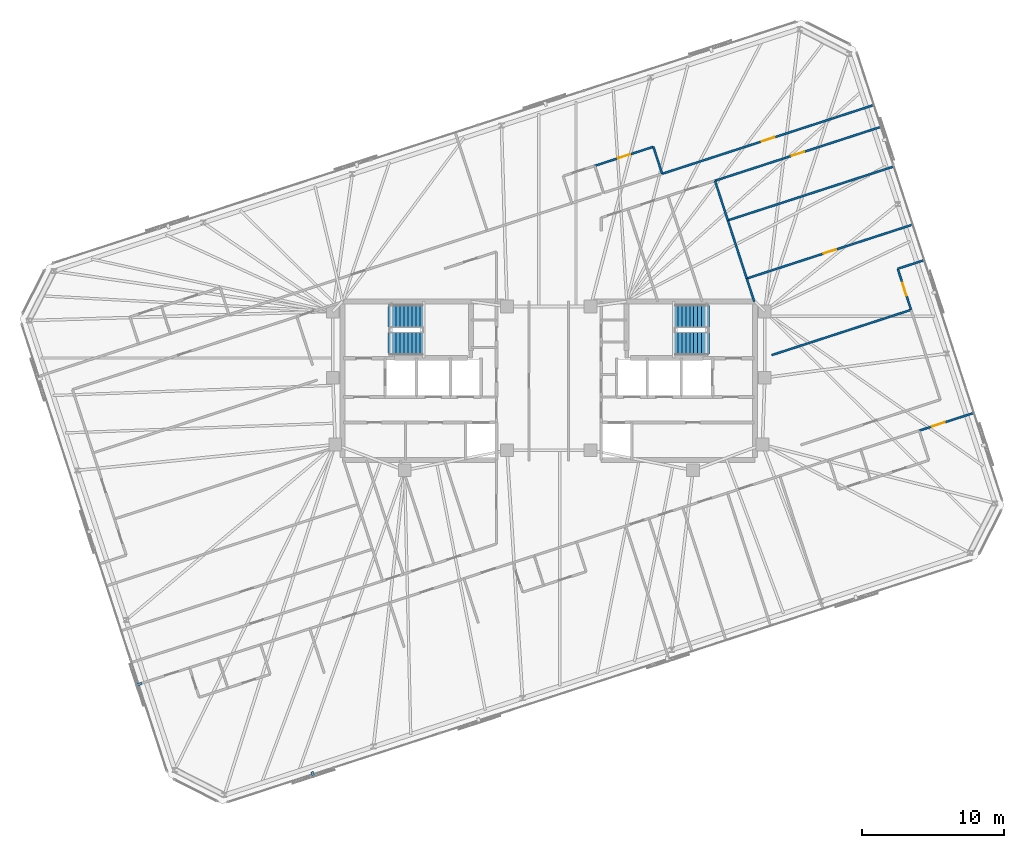
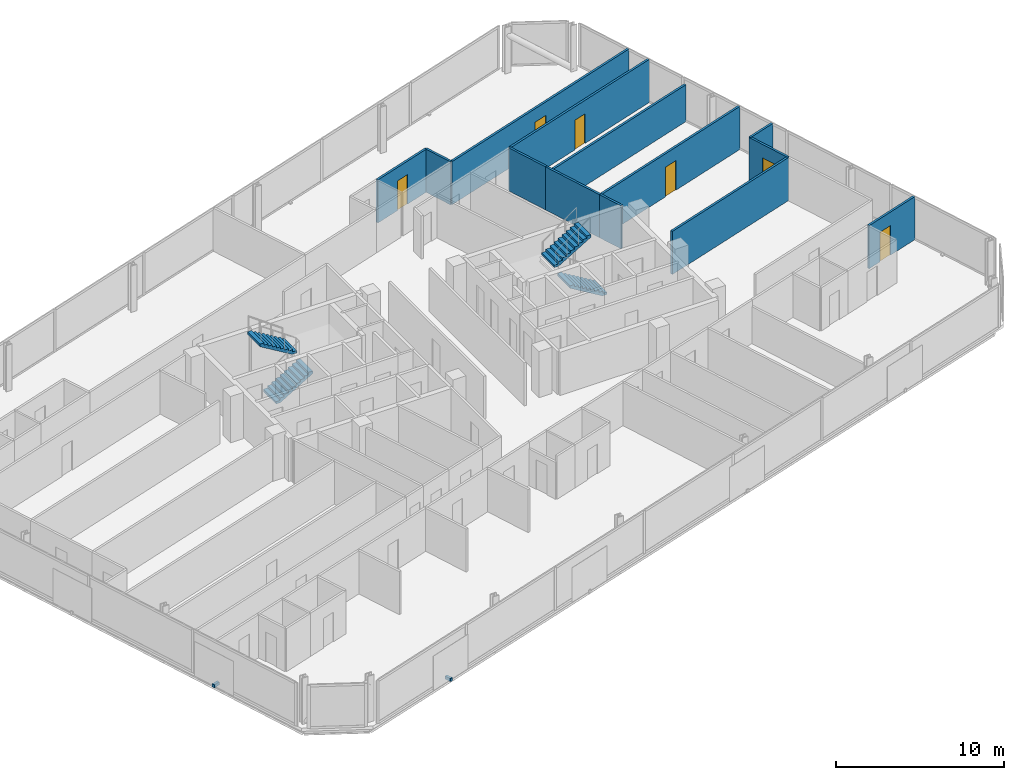
# One storey, part 17 of 19: 13 walls, 6 doors, 4 stair flights, 2 discrete accessories, 6 openings, 2 elements without a shape of their own.
"""IFC4 building model written with IfcOpenShell, lengths in metres."""

import ifcopenshell
import ifcopenshell.guid

model = None  # the IFC model being written
_history = None  # IfcOwnerHistory: only IFC2X3 demands one
_inside = {}  # id of a spatial element -> (the spatial element, [elements in it])
_under = {}  # id of a project, library or spatial element -> (it, [spatial elements below it])
_declared = {}  # id of a project -> (the project, [libraries it declares])
_typed = {}  # id of a type object -> (the type object, [elements of that type])
_made_of = {}  # id of a material, layer set ... -> (it, [elements and type objects made of it])


def new_model(schema):
    """Start an empty IFC model of exactly this schema.

    Asked for "IFC4X3", IfcOpenShell would pick the latest addendum, in which some entities
    have other attributes; the version numbers below select the first issue.
    IFC2X3 requires an IfcOwnerHistory on every rooted entity: one is made here for all.
    """
    global model, _history
    if schema == "IFC4X3":
        model = ifcopenshell.file(schema_version=(4, 3, 0, 0))
    else:
        model = ifcopenshell.file(schema=schema)
    _inside.clear()
    _under.clear()
    _declared.clear()
    _typed.clear()
    _made_of.clear()
    _history = None
    if model.schema == "IFC2X3":
        org = make("IfcOrganization", Name="unknown")
        user = make(
            "IfcPersonAndOrganization",
            ThePerson=make("IfcPerson", FamilyName="unknown"),
            TheOrganization=org,
        )
        app = make(
            "IfcApplication",
            ApplicationDeveloper=org,
            Version="unknown",
            ApplicationFullName="unknown",
            ApplicationIdentifier="unknown",
        )
        _history = make(
            "IfcOwnerHistory",
            OwningUser=user,
            OwningApplication=app,
            ChangeAction="ADDED",
            CreationDate=0,
        )
    return model


def make(cls, **values):
    """One entity of the class cls with the attributes given. An attribute that is None is left unset."""
    return model.create_entity(
        cls, **{name: value for name, value in values.items() if value is not None}
    )


def rooted(cls, **values):
    """An entity with a GlobalId (a new one), such as an element, a storey or a relation."""
    return make(cls, GlobalId=ifcopenshell.guid.new(), OwnerHistory=_history, **values)


def si_unit(unit_type, name, prefix=None):
    """IfcSIUnit, for example si_unit("LENGTHUNIT", "METRE", prefix="MILLI")."""
    return make("IfcSIUnit", UnitType=unit_type, Prefix=prefix, Name=name)


def assignment(units):
    """IfcUnitAssignment: the units of a project."""
    return None if units is None else make("IfcUnitAssignment", Units=units)


def point(xyz):
    """IfcCartesianPoint."""
    return None if xyz is None else make("IfcCartesianPoint", Coordinates=xyz)


def direction(xyz):
    """IfcDirection."""
    return None if xyz is None else make("IfcDirection", DirectionRatios=xyz)


def frame(location, z_axis=None, x_axis=None):
    """IfcAxis2Placement3D, a coordinate frame: its origin and axes. An axis left out is left unset."""
    return make(
        "IfcAxis2Placement3D",
        Location=point(location),
        Axis=direction(z_axis),
        RefDirection=direction(x_axis),
    )


def frame_2d(location, x_axis=None):
    """IfcAxis2Placement2D, a coordinate frame in the plane: its origin and x axis."""
    return make(
        "IfcAxis2Placement2D", Location=point(location), RefDirection=direction(x_axis)
    )


def origin():
    """The frame at (0, 0, 0) with its axes left unset."""
    return frame((0.0, 0.0, 0.0))


def origin_2d():
    """The frame at (0, 0) in the plane with its x axis left unset."""
    return frame_2d((0.0, 0.0))


def place(relative_to, where):
    """IfcLocalPlacement: puts the frame where relative to a parent placement (None: the world)."""
    return make(
        "IfcLocalPlacement", PlacementRelTo=relative_to, RelativePlacement=where
    )


def context(
    kind, dimensions, precision=None, world=None, true_north=None, identifier=None
):
    """IfcGeometricRepresentationContext, for example the 3D "Model" context."""
    return make(
        "IfcGeometricRepresentationContext",
        ContextIdentifier=identifier,
        ContextType=kind,
        CoordinateSpaceDimension=dimensions,
        Precision=precision,
        WorldCoordinateSystem=world,
        TrueNorth=true_north,
    )


def subcontext(parent, identifier, kind, view, scale=None):
    """IfcGeometricRepresentationSubContext, for example "Body" below "Model"."""
    return make(
        "IfcGeometricRepresentationSubContext",
        ContextIdentifier=identifier,
        ContextType=kind,
        ParentContext=parent,
        TargetScale=scale,
        TargetView=view,
    )


def project(units=None, contexts=None):
    """IfcProject with its units and contexts."""
    return rooted(
        "IfcProject",
        Name="project",
        RepresentationContexts=contexts,
        UnitsInContext=assignment(units),
    )


def spatial(cls, under=None, at=None, **own):
    """A site, building, storey or space (cls), placed at a placement, below another one or the project."""
    s = rooted(cls, ObjectPlacement=at, **own)
    if under is not None:
        _under.setdefault(under.id(), (under, []))[1].append(s)
    return s


def polyline(points):
    """IfcPolyline through the points."""
    return make("IfcPolyline", Points=[point(p) for p in points])


def profile(cls, at=None, kind="AREA", **sizes):
    """A parametric profile (cls). Its sizes go by their IFC names, for example OverallWidth=200.0."""
    return make(cls, ProfileType=kind, Position=at, **sizes)


def rectangle(**sizes):
    """IfcRectangleProfileDef."""
    return profile("IfcRectangleProfileDef", **sizes)


def outline(outer, holes=None, kind="AREA"):
    """IfcArbitraryClosedProfileDef: a profile drawn as a closed curve; with holes, ...WithVoids."""
    if holes is None:
        return make("IfcArbitraryClosedProfileDef", ProfileType=kind, OuterCurve=outer)
    return make(
        "IfcArbitraryProfileDefWithVoids",
        ProfileType=kind,
        OuterCurve=outer,
        InnerCurves=holes,
    )


def extrude(swept, where, along, depth):
    """IfcExtrudedAreaSolid: the profile swept, set in the frame where, extruded along a direction by depth."""
    return make(
        "IfcExtrudedAreaSolid",
        SweptArea=swept,
        Position=where,
        ExtrudedDirection=direction(along),
        Depth=depth,
    )


def shape(context_of_items, identifier, shape_type, items):
    """IfcShapeRepresentation: the items that make up one representation, for example the "Body"."""
    return make(
        "IfcShapeRepresentation",
        ContextOfItems=context_of_items,
        RepresentationIdentifier=identifier,
        RepresentationType=shape_type,
        Items=items,
    )


def material(Name=None, Category=None):
    """IfcMaterial."""
    return make("IfcMaterial", Name=Name, Category=Category)


def layer(
    of_material, thickness, ventilated=None, Name=None, Category=None, Priority=None
):
    """IfcMaterialLayer: one layer of a wall or slab, of a material (None: an air gap)."""
    return make(
        "IfcMaterialLayer",
        Material=of_material,
        LayerThickness=thickness,
        IsVentilated=ventilated,
        Name=Name,
        Category=Category,
        Priority=Priority,
    )


def layer_set(layers, Name=None):
    """IfcMaterialLayerSet."""
    return make("IfcMaterialLayerSet", MaterialLayers=layers, LayerSetName=Name)


def made_of(thing, what):
    """Note that an element or type object is made of a material, layer set ...; save() writes the relation."""
    if what is not None:
        _made_of.setdefault(what.id(), (what, []))[1].append(thing)
    return thing


def type_object(cls, material=None, **own):
    """A type object (cls), such as IfcWallType, which elements share."""
    return made_of(rooted(cls, **own), material)


def element(
    cls,
    number,
    at=None,
    inside=None,
    cuts=None,
    type_object=None,
    material=None,
    context=None,
    identifier="Body",
    shape_type=None,
    held_by="IfcProductDefinitionShape",
    body=None,
    shapes=None,
    **own,
):
    """One element of the class cls, such as IfcWall. Its Tag is "e" and its number.

    at: its placement. inside: the storey or other place that contains it. cuts: it is an
    opening in that element (IfcRelVoidsElement). A single representation is given by context,
    identifier, shape_type and body (its items); several are given by shapes. held_by: the class
    of the entity that holds the representations. save() writes the other relations.
    """
    e = rooted(cls, Tag="e%d" % number, ObjectPlacement=at, **own)
    if body is not None:
        shapes = [shape(context, identifier, shape_type, body)]
    if shapes is not None:
        e.Representation = make(held_by, Representations=shapes)
    if inside is not None:
        _inside.setdefault(inside.id(), (inside, []))[1].append(e)
    if cuts is not None:
        rooted(
            "IfcRelVoidsElement", RelatingBuildingElement=cuts, RelatedOpeningElement=e
        )
    if type_object is not None:
        _typed.setdefault(type_object.id(), (type_object, []))[1].append(e)
    return made_of(e, material)


def fill(opening, filler):
    """IfcRelFillsElement: the door or window that sits in an opening."""
    return rooted(
        "IfcRelFillsElement",
        RelatingOpeningElement=opening,
        RelatedBuildingElement=filler,
    )


def aggregate(whole, parts):
    """IfcRelAggregates: a whole, such as a stair, and the parts it consists of."""
    return rooted("IfcRelAggregates", RelatingObject=whole, RelatedObjects=parts)


def save(model, path):
    """Write the relations noted so far, then the file.

    IfcRelAggregates (storeys below a building ...), IfcRelContainedInSpatialStructure (elements
    in a storey), IfcRelDefinesByType, IfcRelAssociatesMaterial and IfcRelDeclares: one each for
    every whole, place, type object, material and project.
    """
    for whole, parts in _under.values():
        aggregate(whole, parts)
    for where, things in _inside.values():
        rooted(
            "IfcRelContainedInSpatialStructure",
            RelatedElements=things,
            RelatingStructure=where,
        )
    for kind, things in _typed.values():
        rooted("IfcRelDefinesByType", RelatedObjects=things, RelatingType=kind)
    for what, things in _made_of.values():
        rooted("IfcRelAssociatesMaterial", RelatedObjects=things, RelatingMaterial=what)
    for by, libraries in _declared.values():
        rooted("IfcRelDeclares", RelatingContext=by, RelatedDefinitions=libraries)
    model.write(path)


model = new_model("IFC4")

# Units and contexts
model_context = context("Model", 3, precision=1e-05, world=origin(), true_north=direction((0.0, 1.0)))
body_context = subcontext(model_context, "Body", "Model", "MODEL_VIEW")
ifc_project = project(units=[si_unit("LENGTHUNIT", "METRE"), si_unit("AREAUNIT", "SQUARE_METRE"), si_unit("VOLUMEUNIT", "CUBIC_METRE"), si_unit("PLANEANGLEUNIT", "RADIAN"), si_unit("MASSUNIT", "GRAM", prefix="KILO")], contexts=[model_context])

# Site, building, storey
site_placement = place(None, origin())
site = spatial("IfcSite", under=ifc_project, at=site_placement, CompositionType="ELEMENT")
building_placement = place(site_placement, origin())
building = spatial("IfcBuilding", under=site, at=building_placement, Name="Menara Jurai Vektor", CompositionType="ELEMENT")
storey_placement = place(building_placement, frame((0.0, 0.0, 234.35009765625)))
storey = spatial("IfcBuildingStorey", under=building, at=storey_placement, Name="L62", CompositionType="ELEMENT", Elevation=234.35009765625)

# Wall, opening, door
ifc_material_1 = material(Name="Gypsum Fireboard Partition", Category="gypsum")
ifc_layer_1 = layer(ifc_material_1, 0.14990234375)
ifc_layer_set_1 = layer_set([ifc_layer_1], Name="Gypsum Fireboard Partition")
wall_type_1 = type_object("IfcWallType", Name="INT-WALL-CORR-150", PredefinedType="PARTITIONING", material=ifc_layer_set_1)
wall_1_placement = place(storey_placement, frame((8.000732421875, 14.61474609375, 0.0), z_axis=(0.0, 0.0, 1.0), x_axis=(0.951056661035, 0.309016548911, 0.0)))
wall_1 = element("IfcWall", 1, at=wall_1_placement, inside=storey, type_object=wall_type_1, Name="Interior Wall IW-150 L62", PredefinedType="PARTITIONING", context=body_context, shape_type="SweptSolid", body=[
    extrude(rectangle(XDim=15.72216796875, YDim=0.14990234375, at=frame_2d((7.861083984375, 0.0))), origin(), (0.0, 0.0, 1.0), 3.125),
])
opening_1_placement = place(wall_1_placement, frame((7.385986328125, 0.0, 0.0)))
opening_1 = element("IfcOpeningElement", 2, at=opening_1_placement, cuts=wall_1, Name="Opening D62-13", PredefinedType="OPENING", context=body_context, shape_type="SweptSolid", body=[
    extrude(rectangle(XDim=0.949951171875, YDim=2.14990234375, at=frame_2d((0.47509765625, 1.074951171875))), frame((0.0, 0.0849609375, 0.0), z_axis=(0.0, -1.0, 0.0), x_axis=(1.0, 0.0, 0.0)), (0.0, 0.0, 1.0), 0.169921875),
])
ifc_material_2 = material(Name="Solid Core Timber Fire Door", Category="wood")
door_type_1 = type_object("IfcDoorType", Name="DR-ENTRY-950", OperationType="NOTDEFINED", PredefinedType="DOOR", material=ifc_material_2)
door_1_placement = place(opening_1_placement, origin())
door_1 = element("IfcDoor", 3, at=door_1_placement, inside=storey, type_object=door_type_1, Name="Interior Door D62-13", OperationType="SINGLE_SWING_LEFT", OverallHeight=2.14990234375, OverallWidth=0.949951171875, PredefinedType="DOOR", context=body_context, shape_type="SweptSolid", body=[
    extrude(rectangle(XDim=0.949951171875, YDim=2.14990234375, at=frame_2d((0.47509765625, 1.074951171875))), frame((0.0, 0.02490234375, 0.0), z_axis=(0.0, -1.0, 0.0), x_axis=(1.0, 0.0, 0.0)), (0.0, 0.0, 1.0), 0.050048828125),
])
fill(opening_1, door_1)

wall_2_placement = place(storey_placement, frame((26.15234375, -3.517578125, 0.0), z_axis=(0.0, 0.0, 1.0), x_axis=(0.951048201303, 0.309042584119, 0.0)))
wall_2 = element("IfcWall", 4, at=wall_2_placement, inside=storey, type_object=wall_type_1, Name="Interior Wall IW-150 L62", PredefinedType="PARTITIONING", context=body_context, shape_type="SweptSolid", body=[
    extrude(rectangle(XDim=4.06201171875, YDim=0.14990234375, at=frame_2d((2.031005859375, 0.0))), origin(), (0.0, 0.0, 1.0), 3.125),
])
opening_2_placement = place(wall_2_placement, frame((0.94677734375, 0.0, 0.0)))
opening_2 = element("IfcOpeningElement", 5, at=opening_2_placement, cuts=wall_2, Name="Opening D62-22", PredefinedType="OPENING", context=body_context, shape_type="SweptSolid", body=[
    extrude(rectangle(XDim=0.949951171875, YDim=2.14990234375, at=frame_2d((0.47509765625, 1.074951171875))), frame((0.0, 0.0849609375, 0.0), z_axis=(0.0, -1.0, 0.0), x_axis=(1.0, 0.0, 0.0)), (0.0, 0.0, 1.0), 0.169921875),
])
door_2_placement = place(opening_2_placement, origin())
door_2 = element("IfcDoor", 6, at=door_2_placement, inside=storey, type_object=door_type_1, Name="Interior Door D62-22", OperationType="SINGLE_SWING_RIGHT", OverallHeight=2.14990234375, OverallWidth=0.949951171875, PredefinedType="DOOR", context=body_context, shape_type="SweptSolid", body=[
    extrude(rectangle(XDim=0.949951171875, YDim=2.14990234375, at=frame_2d((0.47509765625, 1.074951171875))), frame((0.0, 0.02490234375, 0.0), z_axis=(0.0, -1.0, 0.0), x_axis=(1.0, 0.0, 0.0)), (0.0, 0.0, 1.0), 0.050048828125),
])
fill(opening_2, door_2)

wall_3_placement = place(storey_placement, frame((25.57568359375, 5.0107421875, 0.0), z_axis=(0.0, 0.0, 1.0), x_axis=(-0.309011835091, 0.951058192633, 0.0)))
wall_3 = element("IfcWall", 7, at=wall_3_placement, inside=storey, type_object=wall_type_1, Name="Interior Wall IW-150 L62", PredefinedType="PARTITIONING", context=body_context, shape_type="SweptSolid", body=[
    extrude(rectangle(XDim=3.048828125, YDim=0.14990234375, at=frame_2d((1.5244140625, 0.0))), origin(), (0.0, 0.0, 1.0), 3.125),
])
opening_3_placement = place(wall_3_placement, frame((1.064453125, 0.0, 0.0)))
opening_3 = element("IfcOpeningElement", 8, at=opening_3_placement, cuts=wall_3, Name="Opening D62-46", PredefinedType="OPENING", context=body_context, shape_type="SweptSolid", body=[
    extrude(rectangle(XDim=0.919921875, YDim=2.14990234375, at=frame_2d((0.4599609375, 1.074951171875))), frame((0.0, 0.0849609375, 0.0), z_axis=(0.0, -1.0, 0.0), x_axis=(1.0, 0.0, 0.0)), (0.0, 0.0, 1.0), 0.169921875),
])
door_3_placement = place(opening_3_placement, origin())
door_3 = element("IfcDoor", 9, at=door_3_placement, inside=storey, type_object=door_type_1, Name="Interior Door D62-46", OperationType="SINGLE_SWING_RIGHT", OverallHeight=2.14990234375, OverallWidth=0.919921875, PredefinedType="DOOR", context=body_context, shape_type="SweptSolid", body=[
    extrude(rectangle(XDim=0.919921875, YDim=2.14990234375, at=frame_2d((0.4599609375, 1.074951171875))), frame((0.0, 0.02490234375, 0.0), z_axis=(0.0, -1.0, 0.0), x_axis=(1.0, 0.0, 0.0)), (0.0, 0.0, 1.0), 0.050048828125),
])
fill(opening_3, door_3)

# Wall
wall_4_placement = place(storey_placement, frame((24.633544921875, 7.910400390625, 0.0), z_axis=(0.0, 0.0, 1.0), x_axis=(0.951054051148, 0.309024581215, 0.0)))
element("IfcWall", 10, at=wall_4_placement, inside=storey, type_object=wall_type_1, Name="Interior Wall IW-150 L62", PredefinedType="PARTITIONING", context=body_context, shape_type="SweptSolid", body=[
    extrude(rectangle(XDim=1.97509765625, YDim=0.14990234375, at=frame_2d((0.987548828125, 0.0))), origin(), (0.0, 0.0, 1.0), 3.125),
])

# Wall, opening, door
wall_5_placement = place(storey_placement, frame((11.730224609375, 14.123291015625, 0.0), z_axis=(0.0, 0.0, 1.0), x_axis=(0.951060263663, 0.309005460926, 0.0)))
wall_5 = element("IfcWall", 11, at=wall_5_placement, inside=storey, type_object=wall_type_1, Name="Interior Wall IW-150 L62", PredefinedType="PARTITIONING", context=body_context, shape_type="SweptSolid", body=[
    extrude(rectangle(XDim=12.326904296875, YDim=0.14990234375, at=frame_2d((6.16357421875, 0.0))), origin(), (0.0, 0.0, 1.0), 3.125),
])
opening_4_placement = place(wall_5_placement, frame((5.70361328125, 0.0, 0.0)))
opening_4 = element("IfcOpeningElement", 12, at=opening_4_placement, cuts=wall_5, Name="Opening D62-48", PredefinedType="OPENING", context=body_context, shape_type="SweptSolid", body=[
    extrude(rectangle(XDim=0.919921875, YDim=2.14990234375, at=frame_2d((0.4599609375, 1.074951171875))), frame((0.0, 0.0849609375, 0.0), z_axis=(0.0, -1.0, 0.0), x_axis=(1.0, 0.0, 0.0)), (0.0, 0.0, 1.0), 0.169921875),
])
door_4_placement = place(opening_4_placement, origin())
door_4 = element("IfcDoor", 13, at=door_4_placement, inside=storey, type_object=door_type_1, Name="Interior Door D62-48", OperationType="SINGLE_SWING_RIGHT", OverallHeight=2.14990234375, OverallWidth=0.919921875, PredefinedType="DOOR", context=body_context, shape_type="SweptSolid", body=[
    extrude(rectangle(XDim=0.919921875, YDim=2.14990234375, at=frame_2d((0.4599609375, 1.074951171875))), frame((0.0, 0.02490234375, 0.0), z_axis=(0.0, -1.0, 0.0), x_axis=(1.0, 0.0, 0.0)), (0.0, 0.0, 1.0), 0.050048828125),
])
fill(opening_4, door_4)

wall_6_placement = place(storey_placement, frame((3.244140625, 15.177490234375, 0.0), z_axis=(0.0, 0.0, 1.0), x_axis=(0.951052627573, 0.309028962374, 0.0)))
wall_6 = element("IfcWall", 14, at=wall_6_placement, inside=storey, type_object=wall_type_1, Name="Interior Wall IW-150 L62", PredefinedType="PARTITIONING", context=body_context, shape_type="SweptSolid", body=[
    extrude(rectangle(XDim=4.349853515625, YDim=0.14990234375, at=frame_2d((2.1748046875, 0.0))), origin(), (0.0, 0.0, 1.0), 3.125),
])
opening_5_placement = place(wall_6_placement, frame((1.72509765625, 0.0, 0.0)))
opening_5 = element("IfcOpeningElement", 15, at=opening_5_placement, cuts=wall_6, Name="Opening D62-15", PredefinedType="OPENING", context=body_context, shape_type="SweptSolid", body=[
    extrude(rectangle(XDim=0.89990234375, YDim=2.14990234375, at=frame_2d((0.449951171875, 1.074951171875))), frame((0.0, 0.0849609375, 0.0), z_axis=(0.0, -1.0, 0.0), x_axis=(1.0, 0.0, 0.0)), (0.0, 0.0, 1.0), 0.169921875),
])
ifc_material_3 = material(Name="Acoustic Timber Interior Door", Category="wood")
door_type_2 = type_object("IfcDoorType", Name="DR-ROOM-900", OperationType="NOTDEFINED", PredefinedType="DOOR", material=ifc_material_3)
door_5_placement = place(opening_5_placement, origin())
door_5 = element("IfcDoor", 16, at=door_5_placement, inside=storey, type_object=door_type_2, Name="Interior Door D62-15", OperationType="SINGLE_SWING_LEFT", OverallHeight=2.14990234375, OverallWidth=0.89990234375, PredefinedType="DOOR", context=body_context, shape_type="SweptSolid", body=[
    extrude(rectangle(XDim=0.89990234375, YDim=2.14990234375, at=frame_2d((0.449951171875, 1.074951171875))), frame((0.0, 0.02490234375, 0.0), z_axis=(0.0, -1.0, 0.0), x_axis=(1.0, 0.0, 0.0)), (0.0, 0.0, 1.0), 0.050048828125),
])
fill(opening_5, door_5)

# Walls
wall_7_placement = place(storey_placement, frame((8.000732421875, 14.61474609375, 0.0), z_axis=(0.0, 0.0, 1.0), x_axis=(-0.309022749039, 0.951054646472, 0.0)))
element("IfcWall", 17, at=wall_7_placement, inside=storey, type_object=wall_type_1, Name="Interior Wall IW-150 L62", PredefinedType="PARTITIONING", context=body_context, shape_type="SweptSolid", body=[
    extrude(rectangle(XDim=2.005126953125, YDim=0.14990234375, at=frame_2d((1.00244140625, 0.0))), origin(), (0.0, 0.0, 1.0), 3.125),
])
wall_8_placement = place(storey_placement, frame((14.49951171875, 5.599853515625, 0.0), z_axis=(0.0, 0.0, 1.0), x_axis=(-0.308872364299, 0.951103497298, 0.0)))
element("IfcWall", 18, at=wall_8_placement, inside=storey, type_object=wall_type_1, Name="Interior Wall IW-150 L62", PredefinedType="PARTITIONING", context=body_context, shape_type="SweptSolid", body=[
    extrude(rectangle(XDim=1.704833984375, YDim=0.14990234375, at=frame_2d((0.8525390625, 0.0))), origin(), (0.0, 0.0, 1.0), 3.125),
])
wall_9_placement = place(storey_placement, frame((13.972900390625, 7.221435546875, 0.0), z_axis=(0.0, 0.0, 1.0), x_axis=(-0.309038735568, 0.951049451879, 0.0)))
element("IfcWall", 19, at=wall_9_placement, inside=storey, type_object=wall_type_1, Name="Interior Wall IW-150 L62", PredefinedType="PARTITIONING", context=body_context, shape_type="SweptSolid", body=[
    extrude(rectangle(XDim=4.31494140625, YDim=0.14990234375, at=frame_2d((2.157470703125, 0.0))), origin(), (0.0, 0.0, 1.0), 3.125),
])
wall_10_placement = place(storey_placement, frame((12.639404296875, 11.3251953125, 0.0), z_axis=(0.0, 0.0, 1.0), x_axis=(-0.309024151982, 0.951054190618, 0.0)))
element("IfcWall", 20, at=wall_10_placement, inside=storey, type_object=wall_type_1, Name="Interior Wall IW-150 L62", PredefinedType="PARTITIONING", context=body_context, shape_type="SweptSolid", body=[
    extrude(rectangle(XDim=2.942138671875, YDim=0.14990234375, at=frame_2d((1.47119140625, 0.0))), origin(), (0.0, 0.0, 1.0), 3.125),
])
wall_11_placement = place(storey_placement, frame((15.73046875, 1.811767578125, 0.0), z_axis=(0.0, 0.0, 1.0), x_axis=(0.951054517802, 0.309023145037, 0.0)))
element("IfcWall", 21, at=wall_11_placement, inside=storey, type_object=wall_type_1, Name="Interior Wall IW-150 L62", PredefinedType="PARTITIONING", context=body_context, shape_type="SweptSolid", body=[
    extrude(rectangle(XDim=10.351806640625, YDim=0.14990234375, at=frame_2d((5.17578125, 0.0))), origin(), (0.0, 0.0, 1.0), 3.125),
])

# Wall, opening, door
wall_12_placement = place(storey_placement, frame((13.972900390625, 7.221435546875, 0.0), z_axis=(0.0, 0.0, 1.0), x_axis=(0.951058372493, 0.309011281527, 0.0)))
wall_12 = element("IfcWall", 22, at=wall_12_placement, inside=storey, type_object=wall_type_1, Name="Interior Wall IW-150 L62", PredefinedType="PARTITIONING", context=body_context, shape_type="SweptSolid", body=[
    extrude(rectangle(XDim=12.32666015625, YDim=0.14990234375, at=frame_2d((6.163330078125, 0.0))), origin(), (0.0, 0.0, 1.0), 3.125),
])
opening_6_placement = place(wall_12_placement, frame((5.70361328125, 0.0, 0.0)))
opening_6 = element("IfcOpeningElement", 23, at=opening_6_placement, cuts=wall_12, Name="Opening D62-47", PredefinedType="OPENING", context=body_context, shape_type="SweptSolid", body=[
    extrude(rectangle(XDim=0.919921875, YDim=2.14990234375, at=frame_2d((0.4599609375, 1.074951171875))), frame((0.0, 0.0849609375, 0.0), z_axis=(0.0, -1.0, 0.0), x_axis=(1.0, 0.0, 0.0)), (0.0, 0.0, 1.0), 0.169921875),
])
door_6_placement = place(opening_6_placement, origin())
door_6 = element("IfcDoor", 24, at=door_6_placement, inside=storey, type_object=door_type_1, Name="Interior Door D62-47", OperationType="SINGLE_SWING_LEFT", OverallHeight=2.14990234375, OverallWidth=0.919921875, PredefinedType="DOOR", context=body_context, shape_type="SweptSolid", body=[
    extrude(rectangle(XDim=0.919921875, YDim=2.14990234375, at=frame_2d((0.4599609375, 1.074951171875))), frame((0.0, 0.02490234375, 0.0), z_axis=(0.0, -1.0, 0.0), x_axis=(1.0, 0.0, 0.0)), (0.0, 0.0, 1.0), 0.050048828125),
])
fill(opening_6, door_6)

# Wall
ifc_layer_2 = layer(ifc_material_1, 0.14990234375)
ifc_layer_set_2 = layer_set([ifc_layer_2], Name="Gypsum Fireboard Partition")
wall_type_2 = type_object("IfcWallType", Name="INT-WALL-CORR-150-H1", PredefinedType="PARTITIONING", material=ifc_layer_set_2)
wall_13_placement = place(storey_placement, frame((12.639404296875, 11.3251953125, 0.0), z_axis=(0.0, 0.0, 1.0), x_axis=(0.951054443032, 0.309023375149, 0.0)))
element("IfcWall", 25, at=wall_13_placement, inside=storey, type_object=wall_type_2, Name="Interior Wall IW-150 L62", PredefinedType="PARTITIONING", context=body_context, shape_type="SweptSolid", body=[
    extrude(rectangle(XDim=12.326904296875, YDim=0.14990234375, at=frame_2d((6.16357421875, 0.0))), origin(), (0.0, 0.0, 1.0), 2.6748046875),
])

# Stair, stair flights
ifc_material_4 = material(Name="Concrete C40/50", Category="concrete")
stair_type = type_object("IfcStairType", Name="STAIR-DOGLEG-1500", PredefinedType="HALF_TURN_STAIR", material=ifc_material_4)
stair_1_placement = place(storey_placement, origin())
stair_1 = element("IfcStair", 26, at=stair_1_placement, inside=storey, type_object=stair_type, Name="Protected Exit Stair ST1 L62", PredefinedType="HALF_TURN_STAIR")
stair_flight_type = type_object("IfcStairFlightType", Name="STAIR-FLIGHT-1500", PredefinedType="STRAIGHT", material=ifc_material_4)
stair_flight_1_placement = place(storey_placement, frame((-11.35009765625, 2.64990234375, 0.0), z_axis=(0.0, 0.0, 1.0), x_axis=(1.0, 0.0, 0.0)))
stair_flight_1 = element("IfcStairFlight", 27, at=stair_flight_1_placement, type_object=stair_flight_type, Name="ST1 flight 1", NumberOfRisers=10, NumberOfTreads=9, PredefinedType="STRAIGHT", RiserHeight=0.1675, TreadLength=0.28, context=body_context, shape_type="SweptSolid", body=[
    extrude(outline(polyline([(0.0, 0.0), (0.0, 0.16748046875), (0.280029296875, 0.16748046875), (0.280029296875, 0.3349609375), (0.56005859375, 0.3349609375), (0.56005859375, 0.50244140625), (0.840087890625, 0.50244140625), (0.840087890625, 0.669921875), (1.1201171875, 0.669921875), (1.1201171875, 0.83740234375), (1.39990234375, 0.83740234375), (1.39990234375, 1.0048828125), (1.679931640625, 1.0048828125), (1.679931640625, 1.172607421875), (1.9599609375, 1.172607421875), (1.9599609375, 1.340087890625), (2.239990234375, 1.340087890625), (2.239990234375, 1.507568359375), (2.52001953125, 1.507568359375), (2.52001953125, 1.675048828125), (2.52001953125, 1.321044921875), (0.3115234375, 0.0), (0.0, 0.0)])), frame((0.0, 0.75, 0.0), z_axis=(0.0, -1.0, 0.0), x_axis=(1.0, 0.0, 0.0)), (0.0, 0.0, 1.0), 1.5),
])
stair_flight_2_placement = place(storey_placement, frame((-8.830078125, 4.550048828125, 1.6748046875), z_axis=(0.0, 0.0, 1.0), x_axis=(-1.0, 0.0, 0.0)))
stair_flight_2 = element("IfcStairFlight", 28, at=stair_flight_2_placement, type_object=stair_flight_type, Name="ST1 flight 2", NumberOfRisers=10, NumberOfTreads=9, PredefinedType="STRAIGHT", RiserHeight=0.1675, TreadLength=0.28, context=body_context, shape_type="SweptSolid", body=[
    extrude(outline(polyline([(0.0, 0.0), (0.0, 0.16748046875), (0.280029296875, 0.16748046875), (0.280029296875, 0.3349609375), (0.56005859375, 0.3349609375), (0.56005859375, 0.50244140625), (0.840087890625, 0.50244140625), (0.840087890625, 0.669921875), (1.1201171875, 0.669921875), (1.1201171875, 0.83740234375), (1.39990234375, 0.83740234375), (1.39990234375, 1.0048828125), (1.679931640625, 1.0048828125), (1.679931640625, 1.172607421875), (1.9599609375, 1.172607421875), (1.9599609375, 1.340087890625), (2.239990234375, 1.340087890625), (2.239990234375, 1.507568359375), (2.52001953125, 1.507568359375), (2.52001953125, 1.675048828125), (2.52001953125, 1.321044921875), (0.3115234375, 0.0), (0.0, 0.0)])), frame((0.0, 0.75, 0.0), z_axis=(0.0, -1.0, 0.0), x_axis=(1.0, 0.0, 0.0)), (0.0, 0.0, 1.0), 1.5),
])
aggregate(stair_1, [stair_flight_1, stair_flight_2])

stair_2_placement = place(storey_placement, origin())
stair_2 = element("IfcStair", 29, at=stair_2_placement, inside=storey, type_object=stair_type, Name="Protected Exit Stair ST2 L62", PredefinedType="HALF_TURN_STAIR")
stair_flight_3_placement = place(storey_placement, frame((11.35009765625, 2.64990234375, 0.0), z_axis=(0.0, 0.0, 1.0), x_axis=(-1.0, 0.0, 0.0)))
stair_flight_3 = element("IfcStairFlight", 30, at=stair_flight_3_placement, type_object=stair_flight_type, Name="ST2 flight 1", NumberOfRisers=10, NumberOfTreads=9, PredefinedType="STRAIGHT", RiserHeight=0.1675, TreadLength=0.28, context=body_context, shape_type="SweptSolid", body=[
    extrude(outline(polyline([(0.0, 0.0), (0.0, 0.16748046875), (0.280029296875, 0.16748046875), (0.280029296875, 0.3349609375), (0.56005859375, 0.3349609375), (0.56005859375, 0.50244140625), (0.840087890625, 0.50244140625), (0.840087890625, 0.669921875), (1.1201171875, 0.669921875), (1.1201171875, 0.83740234375), (1.39990234375, 0.83740234375), (1.39990234375, 1.0048828125), (1.679931640625, 1.0048828125), (1.679931640625, 1.172607421875), (1.9599609375, 1.172607421875), (1.9599609375, 1.340087890625), (2.239990234375, 1.340087890625), (2.239990234375, 1.507568359375), (2.52001953125, 1.507568359375), (2.52001953125, 1.675048828125), (2.52001953125, 1.321044921875), (0.3115234375, 0.0), (0.0, 0.0)])), frame((0.0, 0.75, 0.0), z_axis=(0.0, -1.0, 0.0), x_axis=(1.0, 0.0, 0.0)), (0.0, 0.0, 1.0), 1.5),
])
stair_flight_4_placement = place(storey_placement, frame((8.830078125, 4.550048828125, 1.6748046875), z_axis=(0.0, 0.0, 1.0), x_axis=(1.0, 0.0, 0.0)))
stair_flight_4 = element("IfcStairFlight", 31, at=stair_flight_4_placement, type_object=stair_flight_type, Name="ST2 flight 2", NumberOfRisers=10, NumberOfTreads=9, PredefinedType="STRAIGHT", RiserHeight=0.1675, TreadLength=0.28, context=body_context, shape_type="SweptSolid", body=[
    extrude(outline(polyline([(0.0, 0.0), (0.0, 0.16748046875), (0.280029296875, 0.16748046875), (0.280029296875, 0.3349609375), (0.56005859375, 0.3349609375), (0.56005859375, 0.50244140625), (0.840087890625, 0.50244140625), (0.840087890625, 0.669921875), (1.1201171875, 0.669921875), (1.1201171875, 0.83740234375), (1.39990234375, 0.83740234375), (1.39990234375, 1.0048828125), (1.679931640625, 1.0048828125), (1.679931640625, 1.172607421875), (1.9599609375, 1.172607421875), (1.9599609375, 1.340087890625), (2.239990234375, 1.340087890625), (2.239990234375, 1.507568359375), (2.52001953125, 1.507568359375), (2.52001953125, 1.675048828125), (2.52001953125, 1.321044921875), (0.3115234375, 0.0), (0.0, 0.0)])), frame((0.0, 0.75, 0.0), z_axis=(0.0, -1.0, 0.0), x_axis=(1.0, 0.0, 0.0)), (0.0, 0.0, 1.0), 1.5),
])
aggregate(stair_2, [stair_flight_3, stair_flight_4])

# Discrete accessories
ifc_material_5 = material(Name="Steel S355", Category="steel")
discrete_accessory_type = type_object("IfcDiscreteAccessoryType", Name="ENV-ACC-BRACKET", PredefinedType="BRACKET", material=ifc_material_5)
for number, where, z_axis, x_axis, name in (
    (32, (-16.655029296875, -27.806396484375, -0.1298828125), (0.0, 0.0, 1.0), (0.951056516295, 0.309016994375, 0.0), "Solar Screen Stand-Off Bracket L62-S01"),
    (33, (-28.957763671875, -21.429443359375, -0.1298828125), (0.0, 0.0, 1.0), (0.309016994375, -0.951056516295, 0.0), "Solar Screen Stand-Off Bracket L62-S14"),
):
    element("IfcDiscreteAccessory", number, at=place(storey_placement, frame(where, z_axis=z_axis, x_axis=x_axis)), inside=storey, type_object=discrete_accessory_type, Name=name, PredefinedType="BRACKET", context=body_context, shape_type="SweptSolid", body=[
        extrude(rectangle(XDim=0.179931640625, YDim=0.43994140625, at=origin_2d()), origin(), (0.0, 0.0, 1.0), 0.219970703125),
    ])

save(model, "model.ifc")
